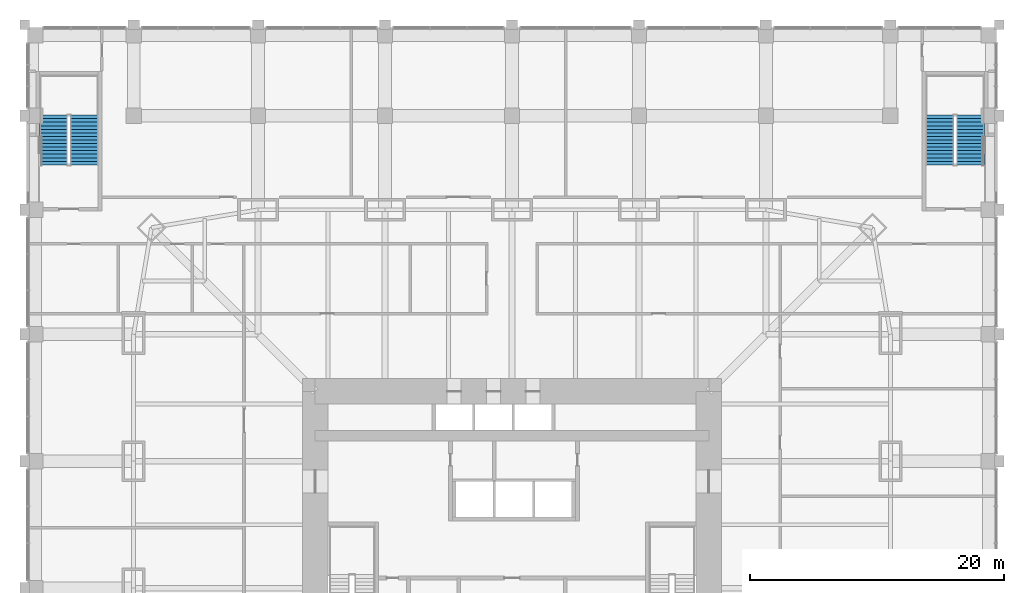
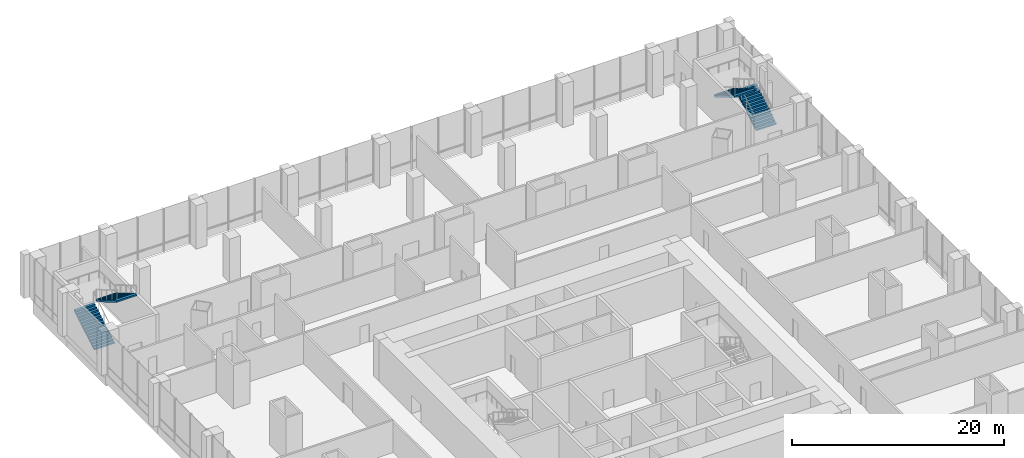
# One storey, part 22 of 24: 4 stair flights, 2 elements without a shape of their own.
"""IFC4 building model written with IfcOpenShell, lengths in metres."""

from ifc_helpers import new_model, si_unit, direction, frame, origin, place, context, subcontext, project, spatial, polyline, outline, extrude, material, type_object, element, aggregate, save


model = new_model("IFC4")

# Units and contexts
model_context = context("Model", 3, precision=1e-05, world=origin(), true_north=direction((0.0, 1.0)))
body_context = subcontext(model_context, "Body", "Model", "MODEL_VIEW")
ifc_project = project(units=[si_unit("LENGTHUNIT", "METRE"), si_unit("AREAUNIT", "SQUARE_METRE"), si_unit("VOLUMEUNIT", "CUBIC_METRE"), si_unit("PLANEANGLEUNIT", "RADIAN"), si_unit("MASSUNIT", "GRAM", prefix="KILO")], contexts=[model_context])

# Site, building, storey
site_placement = place(None, origin())
site = spatial("IfcSite", under=ifc_project, at=site_placement, CompositionType="ELEMENT")
building_placement = place(site_placement, origin())
building = spatial("IfcBuilding", under=site, at=building_placement, Name="Khuree Lantern Residences", CompositionType="ELEMENT")
storey_placement = place(building_placement, frame((0.0, 0.0, 6.0)))
storey = spatial("IfcBuildingStorey", under=building, at=storey_placement, Name="L01", CompositionType="ELEMENT", Elevation=6.0)

# Stair, stair flights
ifc_material = material(Name="Concrete C40/50", Category="concrete")
stair_type = type_object("IfcStairType", Name="STAIR ST3 HALF TURN 4600", PredefinedType="HALF_TURN_STAIR", material=ifc_material)
stair_1_placement = place(storey_placement, origin())
stair_1 = element("IfcStair", 1, at=stair_1_placement, inside=storey, type_object=stair_type, Name="Stair ST3", PredefinedType="HALF_TURN_STAIR")
stair_flight_type = type_object("IfcStairFlightType", Name="STAIR FLIGHT SF2 2200", PredefinedType="STRAIGHT", material=ifc_material)
stair_flight_1_placement = place(storey_placement, frame((-36.10009765625, 33.340087890625, 0.0), z_axis=(0.0, 0.0, 1.0), x_axis=(0.0, 1.0, 0.0)))
stair_flight_1 = element("IfcStairFlight", 2, at=stair_flight_1_placement, type_object=stair_flight_type, Name="ST3 flight 1", NumberOfRisers=15, NumberOfTreads=14, PredefinedType="STRAIGHT", RiserHeight=0.166666667, TreadLength=0.28, context=body_context, shape_type="SweptSolid", body=[
    extrude(outline(polyline([(0.0, 0.0), (0.0, 0.166748046875), (0.280029296875, 0.166748046875), (0.280029296875, 0.333251953125), (0.56005859375, 0.333251953125), (0.56005859375, 0.5), (0.840087890625, 0.5), (0.840087890625, 0.666748046875), (1.1201171875, 0.666748046875), (1.1201171875, 0.833251953125), (1.39990234375, 0.833251953125), (1.39990234375, 1.0), (1.679931640625, 1.0), (1.679931640625, 1.166748046875), (1.9599609375, 1.166748046875), (1.9599609375, 1.333251953125), (2.239990234375, 1.333251953125), (2.239990234375, 1.5), (2.52001953125, 1.5), (2.52001953125, 1.666748046875), (2.800048828125, 1.666748046875), (2.800048828125, 1.833251953125), (3.080078125, 1.833251953125), (3.080078125, 2.0), (3.360107421875, 2.0), (3.360107421875, 2.166748046875), (3.639892578125, 2.166748046875), (3.639892578125, 2.333251953125), (3.919921875, 2.333251953125), (3.919921875, 2.5), (3.919921875, 2.158935546875), (0.29296875, 0.0), (0.0, 0.0)])), frame((0.0, 1.10009765625, 0.0), z_axis=(0.0, -1.0, 0.0), x_axis=(1.0, 0.0, 0.0)), (0.0, 0.0, 1.0), 2.199951171875),
])
stair_flight_2_placement = place(storey_placement, frame((-33.699951171875, 37.260009765625, 2.5), z_axis=(0.0, 0.0, 1.0), x_axis=(0.0, -1.0, 0.0)))
stair_flight_2 = element("IfcStairFlight", 3, at=stair_flight_2_placement, type_object=stair_flight_type, Name="ST3 flight 2", NumberOfRisers=15, NumberOfTreads=14, PredefinedType="STRAIGHT", RiserHeight=0.166666667, TreadLength=0.28, context=body_context, shape_type="SweptSolid", body=[
    extrude(outline(polyline([(0.0, 0.0), (0.0, 0.166748046875), (0.280029296875, 0.166748046875), (0.280029296875, 0.333251953125), (0.56005859375, 0.333251953125), (0.56005859375, 0.5), (0.840087890625, 0.5), (0.840087890625, 0.666748046875), (1.1201171875, 0.666748046875), (1.1201171875, 0.833251953125), (1.39990234375, 0.833251953125), (1.39990234375, 1.0), (1.679931640625, 1.0), (1.679931640625, 1.166748046875), (1.9599609375, 1.166748046875), (1.9599609375, 1.333251953125), (2.239990234375, 1.333251953125), (2.239990234375, 1.5), (2.52001953125, 1.5), (2.52001953125, 1.666748046875), (2.800048828125, 1.666748046875), (2.800048828125, 1.833251953125), (3.080078125, 1.833251953125), (3.080078125, 2.0), (3.360107421875, 2.0), (3.360107421875, 2.166748046875), (3.639892578125, 2.166748046875), (3.639892578125, 2.333251953125), (3.919921875, 2.333251953125), (3.919921875, 2.5), (3.919921875, 2.158935546875), (0.29296875, 0.0), (0.0, 0.0)])), frame((0.0, 1.10009765625, 0.0), z_axis=(0.0, -1.0, 0.0), x_axis=(1.0, 0.0, 0.0)), (0.0, 0.0, 1.0), 2.199951171875),
])
aggregate(stair_1, [stair_flight_1, stair_flight_2])

stair_2_placement = place(storey_placement, origin())
stair_2 = element("IfcStair", 4, at=stair_2_placement, inside=storey, type_object=stair_type, Name="Stair ST4", PredefinedType="HALF_TURN_STAIR")
stair_flight_3_placement = place(storey_placement, frame((36.10009765625, 33.340087890625, 0.0), z_axis=(0.0, 0.0, 1.0), x_axis=(0.0, 1.0, 0.0)))
stair_flight_3 = element("IfcStairFlight", 5, at=stair_flight_3_placement, type_object=stair_flight_type, Name="ST4 flight 1", NumberOfRisers=15, NumberOfTreads=14, PredefinedType="STRAIGHT", RiserHeight=0.166666667, TreadLength=0.28, context=body_context, shape_type="SweptSolid", body=[
    extrude(outline(polyline([(0.0, 0.0), (0.0, 0.166748046875), (0.280029296875, 0.166748046875), (0.280029296875, 0.333251953125), (0.56005859375, 0.333251953125), (0.56005859375, 0.5), (0.840087890625, 0.5), (0.840087890625, 0.666748046875), (1.1201171875, 0.666748046875), (1.1201171875, 0.833251953125), (1.39990234375, 0.833251953125), (1.39990234375, 1.0), (1.679931640625, 1.0), (1.679931640625, 1.166748046875), (1.9599609375, 1.166748046875), (1.9599609375, 1.333251953125), (2.239990234375, 1.333251953125), (2.239990234375, 1.5), (2.52001953125, 1.5), (2.52001953125, 1.666748046875), (2.800048828125, 1.666748046875), (2.800048828125, 1.833251953125), (3.080078125, 1.833251953125), (3.080078125, 2.0), (3.360107421875, 2.0), (3.360107421875, 2.166748046875), (3.639892578125, 2.166748046875), (3.639892578125, 2.333251953125), (3.919921875, 2.333251953125), (3.919921875, 2.5), (3.919921875, 2.158935546875), (0.29296875, 0.0), (0.0, 0.0)])), frame((0.0, 1.10009765625, 0.0), z_axis=(0.0, -1.0, 0.0), x_axis=(1.0, 0.0, 0.0)), (0.0, 0.0, 1.0), 2.199951171875),
])
stair_flight_4_placement = place(storey_placement, frame((33.699951171875, 37.260009765625, 2.5), z_axis=(0.0, 0.0, 1.0), x_axis=(0.0, -1.0, 0.0)))
stair_flight_4 = element("IfcStairFlight", 6, at=stair_flight_4_placement, type_object=stair_flight_type, Name="ST4 flight 2", NumberOfRisers=15, NumberOfTreads=14, PredefinedType="STRAIGHT", RiserHeight=0.166666667, TreadLength=0.28, context=body_context, shape_type="SweptSolid", body=[
    extrude(outline(polyline([(0.0, 0.0), (0.0, 0.166748046875), (0.280029296875, 0.166748046875), (0.280029296875, 0.333251953125), (0.56005859375, 0.333251953125), (0.56005859375, 0.5), (0.840087890625, 0.5), (0.840087890625, 0.666748046875), (1.1201171875, 0.666748046875), (1.1201171875, 0.833251953125), (1.39990234375, 0.833251953125), (1.39990234375, 1.0), (1.679931640625, 1.0), (1.679931640625, 1.166748046875), (1.9599609375, 1.166748046875), (1.9599609375, 1.333251953125), (2.239990234375, 1.333251953125), (2.239990234375, 1.5), (2.52001953125, 1.5), (2.52001953125, 1.666748046875), (2.800048828125, 1.666748046875), (2.800048828125, 1.833251953125), (3.080078125, 1.833251953125), (3.080078125, 2.0), (3.360107421875, 2.0), (3.360107421875, 2.166748046875), (3.639892578125, 2.166748046875), (3.639892578125, 2.333251953125), (3.919921875, 2.333251953125), (3.919921875, 2.5), (3.919921875, 2.158935546875), (0.29296875, 0.0), (0.0, 0.0)])), frame((0.0, 1.10009765625, 0.0), z_axis=(0.0, -1.0, 0.0), x_axis=(1.0, 0.0, 0.0)), (0.0, 0.0, 1.0), 2.199951171875),
])
aggregate(stair_2, [stair_flight_3, stair_flight_4])

save(model, "model.ifc")
